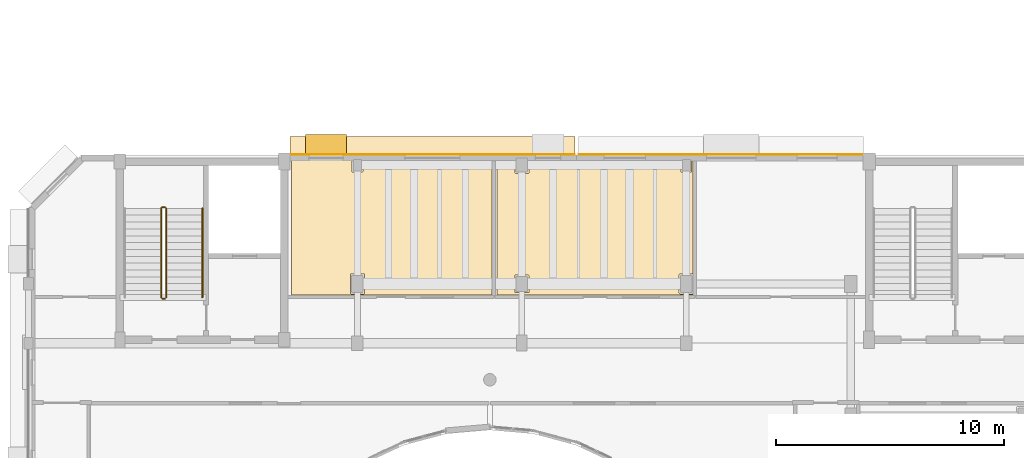
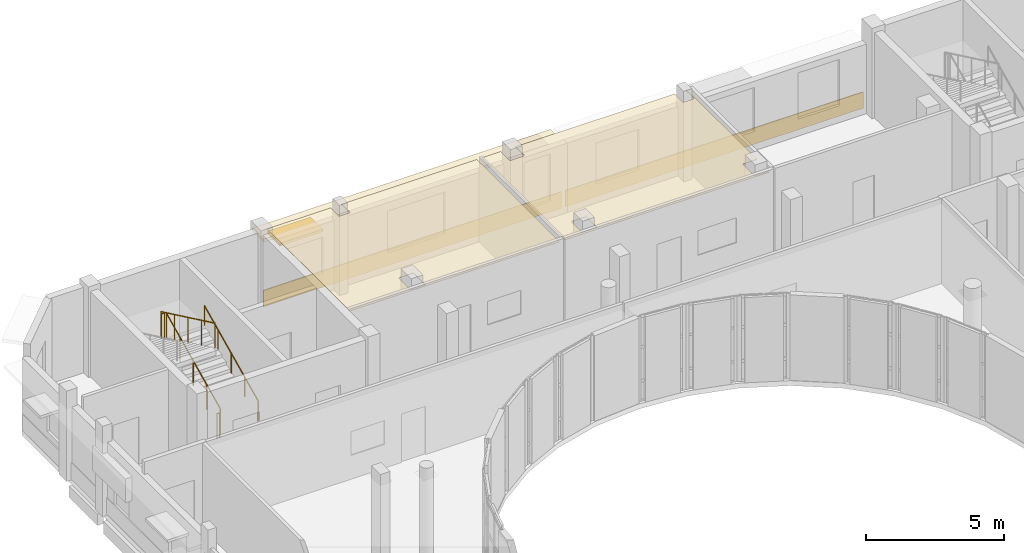
# One storey, part 99 of 105: 5 coverings, 5 railings, 1 shading device.
"""IFC4 building model written with IfcOpenShell, lengths in metres."""

from ifc_helpers import new_model, si_unit, direction, frame, origin, origin_2d, place, context, subcontext, project, spatial, polyline, rectangle, circle, outline, extrude, material, layer, layer_set, type_object, element, save


model = new_model("IFC4")

# Units and contexts
model_context = context("Model", 3, precision=1e-05, world=origin(), true_north=direction((0.0, 1.0)))
body_context = subcontext(model_context, "Body", "Model", "MODEL_VIEW")
ifc_project = project(units=[si_unit("LENGTHUNIT", "METRE"), si_unit("AREAUNIT", "SQUARE_METRE"), si_unit("VOLUMEUNIT", "CUBIC_METRE"), si_unit("PLANEANGLEUNIT", "RADIAN"), si_unit("MASSUNIT", "GRAM", prefix="KILO")], contexts=[model_context])

# Site, building, storey
site_placement = place(None, origin())
site = spatial("IfcSite", under=ifc_project, at=site_placement, CompositionType="ELEMENT")
building_placement = place(site_placement, origin())
building = spatial("IfcBuilding", under=site, at=building_placement, Name="Kelanivale Promenade Academy", CompositionType="ELEMENT")
storey_placement = place(building_placement, frame((0.0, 0.0, 4.199951171875)))
storey = spatial("IfcBuildingStorey", under=building, at=storey_placement, Name="L01", CompositionType="ELEMENT", Elevation=4.199951171875)

# Coverings
ifc_material_1 = material(Name="Warm ivory Art Deco stucco frieze band 40 mm", Category="masonry")
ifc_layer_1 = layer(ifc_material_1, 0.0400390625)
ifc_layer_set_1 = layer_set([ifc_layer_1], Name="Warm ivory Art Deco stucco frieze band 40 mm")
covering_type_1 = type_object("IfcCoveringType", Name="COV-CLD2 Warm ivory Art Deco stucco frieze ba", PredefinedType="CLADDING", material=ifc_layer_set_1)
covering_1_placement = place(storey_placement, frame((73.51708984375, 79.864990234375, 0.06005859375), z_axis=(0.0, 0.0, 1.0), x_axis=(-1.0, 0.0, 0.0)))
element("IfcCovering", 1, at=covering_1_placement, inside=storey, type_object=covering_type_1, Name="Art Deco ivory stucco sill frieze band", PredefinedType="CLADDING", context=body_context, shape_type="SweptSolid", body=[
    extrude(rectangle(XDim=12.47509765625, YDim=0.0400390625, at=origin_2d()), origin(), (0.0, 0.0, 1.0), 0.719970703125),
])
covering_2_placement = place(storey_placement, frame((60.883056640625, 80.25, 2.9150390625), z_axis=(0.0, 0.0, 1.0), x_axis=(-1.0, 0.0, 0.0)))
element("IfcCovering", 2, at=covering_2_placement, inside=storey, type_object=covering_type_1, Name="Art Deco projecting 820 mm streamline sunshade eyebrow ledge", PredefinedType="CLADDING", context=body_context, shape_type="SweptSolid", body=[
    extrude(rectangle(XDim=12.47509765625, YDim=0.820068359375, at=origin_2d()), origin(), (0.0, 0.0, 1.0), 0.139892578125),
])
covering_3_placement = place(storey_placement, frame((60.883056640625, 79.864990234375, 0.06005859375), z_axis=(0.0, 0.0, 1.0), x_axis=(-1.0, 0.0, 0.0)))
element("IfcCovering", 3, at=covering_3_placement, inside=storey, type_object=covering_type_1, Name="Art Deco ivory stucco sill frieze band", PredefinedType="CLADDING", context=body_context, shape_type="SweptSolid", body=[
    extrude(rectangle(XDim=12.47509765625, YDim=0.0400390625, at=origin_2d()), origin(), (0.0, 0.0, 1.0), 0.719970703125),
])
ifc_material_2 = material(Name="Acoustic mineral-fibre ceiling tile 25 mm", Category="gypsum")
ifc_layer_2 = layer(ifc_material_2, 0.02490234375)
ifc_layer_set_2 = layer_set([ifc_layer_2], Name="Acoustic mineral-fibre ceiling tile 25 mm")
covering_type_2 = type_object("IfcCoveringType", Name="COV-CLG1 Acoustic mineral-fibre ceiling tile ", PredefinedType="CEILING", material=ifc_layer_set_2)
covering_4_placement = place(storey_placement, frame((0.0, 0.0, 3.550048828125)))
element("IfcCovering", 4, at=covering_4_placement, inside=storey, type_object=covering_type_2, Name="Junior Classroom North 1 acoustic suspended ceiling", PredefinedType="CEILING", context=body_context, shape_type="SweptSolid", body=[
    extrude(outline(polyline([(54.7099609375, 73.7099609375), (63.489990234375, 73.7099609375), (63.489990234375, 79.699951171875), (57.821044921875, 79.699951171875), (57.822998046875, 79.697998046875), (57.825927734375, 79.695068359375), (57.827880859375, 79.69189453125), (57.830078125, 79.68896484375), (57.83203125, 79.68505859375), (57.8330078125, 79.681884765625), (57.833984375, 79.677978515625), (57.8349609375, 79.674072265625), (57.8349609375, 79.669921875), (57.8349609375, 79.1298828125), (57.8349609375, 79.1259765625), (57.833984375, 79.1220703125), (57.8330078125, 79.117919921875), (57.83203125, 79.114990234375), (57.830078125, 79.111083984375), (57.827880859375, 79.10791015625), (57.825927734375, 79.10498046875), (57.822998046875, 79.10205078125), (57.820068359375, 79.09912109375), (57.81689453125, 79.096923828125), (57.81396484375, 79.094970703125), (57.81005859375, 79.093017578125), (57.806884765625, 79.092041015625), (57.802978515625, 79.091064453125), (57.799072265625, 79.090087890625), (57.794921875, 79.090087890625), (57.405029296875, 79.090087890625), (57.40087890625, 79.090087890625), (57.39697265625, 79.091064453125), (57.39306640625, 79.092041015625), (57.389892578125, 79.093017578125), (57.385986328125, 79.094970703125), (57.383056640625, 79.096923828125), (57.3798828125, 79.09912109375), (57.376953125, 79.10205078125), (57.3740234375, 79.10498046875), (57.3720703125, 79.10791015625), (57.3701171875, 79.111083984375), (57.367919921875, 79.114990234375), (57.366943359375, 79.117919921875), (57.365966796875, 79.1220703125), (57.364990234375, 79.1259765625), (57.364990234375, 79.1298828125), (57.364990234375, 79.669921875), (57.364990234375, 79.674072265625), (57.365966796875, 79.677978515625), (57.366943359375, 79.681884765625), (57.367919921875, 79.68505859375), (57.3701171875, 79.68896484375), (57.3720703125, 79.69189453125), (57.3740234375, 79.695068359375), (57.376953125, 79.697998046875), (57.37890625, 79.699951171875), (54.7099609375, 79.699951171875), (54.7099609375, 79.155029296875), (54.7099609375, 73.7099609375)]), holes=[polyline([(57.909912109375, 73.804931640625), (57.909912109375, 73.801025390625), (57.908935546875, 73.797119140625), (57.907958984375, 73.79296875), (57.906982421875, 73.7900390625), (57.905029296875, 73.785888671875), (57.903076171875, 73.782958984375), (57.90087890625, 73.780029296875), (57.89794921875, 73.777099609375), (57.89501953125, 73.77392578125), (57.89208984375, 73.77197265625), (57.888916015625, 73.77001953125), (57.885009765625, 73.76806640625), (57.882080078125, 73.76708984375), (57.8779296875, 73.76611328125), (57.8740234375, 73.764892578125), (57.8701171875, 73.764892578125), (57.330078125, 73.764892578125), (57.325927734375, 73.764892578125), (57.322021484375, 73.76611328125), (57.318115234375, 73.76708984375), (57.31494140625, 73.76806640625), (57.31103515625, 73.77001953125), (57.30810546875, 73.77197265625), (57.304931640625, 73.77392578125), (57.302001953125, 73.777099609375), (57.299072265625, 73.780029296875), (57.297119140625, 73.782958984375), (57.294921875, 73.785888671875), (57.29296875, 73.7900390625), (57.2919921875, 73.79296875), (57.291015625, 73.797119140625), (57.2900390625, 73.801025390625), (57.2900390625, 73.804931640625), (57.2900390625, 74.594970703125), (57.2900390625, 74.59912109375), (57.291015625, 74.60302734375), (57.2919921875, 74.60693359375), (57.29296875, 74.610107421875), (57.294921875, 74.614013671875), (57.297119140625, 74.616943359375), (57.299072265625, 74.6201171875), (57.302001953125, 74.623046875), (57.304931640625, 74.6259765625), (57.30810546875, 74.6279296875), (57.31103515625, 74.6298828125), (57.31494140625, 74.632080078125), (57.318115234375, 74.633056640625), (57.322021484375, 74.634033203125), (57.325927734375, 74.635009765625), (57.330078125, 74.635009765625), (57.8701171875, 74.635009765625), (57.8740234375, 74.635009765625), (57.8779296875, 74.634033203125), (57.882080078125, 74.633056640625), (57.885009765625, 74.632080078125), (57.888916015625, 74.6298828125), (57.89208984375, 74.6279296875), (57.89501953125, 74.6259765625), (57.89794921875, 74.623046875), (57.90087890625, 74.6201171875), (57.903076171875, 74.616943359375), (57.905029296875, 74.614013671875), (57.906982421875, 74.610107421875), (57.907958984375, 74.60693359375), (57.908935546875, 74.60302734375), (57.909912109375, 74.59912109375), (57.909912109375, 74.594970703125), (57.909912109375, 73.804931640625)])]), origin(), (0.0, 0.0, 1.0), 0.02490234375),
])
covering_5_placement = place(storey_placement, frame((0.0, 0.0, 3.550048828125)))
element("IfcCovering", 5, at=covering_5_placement, inside=storey, type_object=covering_type_2, Name="Language Studio North acoustic suspended ceiling", PredefinedType="CEILING", context=body_context, shape_type="SweptSolid", body=[
    extrude(outline(polyline([(63.7099609375, 79.699951171875), (63.7099609375, 73.7099609375), (72.2900390625, 73.7099609375), (72.2900390625, 73.77001953125), (72.2890625, 73.77001953125), (72.284912109375, 73.76806640625), (72.281982421875, 73.76708984375), (72.278076171875, 73.76611328125), (72.27392578125, 73.764892578125), (72.27001953125, 73.764892578125), (71.72998046875, 73.764892578125), (71.72607421875, 73.764892578125), (71.721923828125, 73.76611328125), (71.718017578125, 73.76708984375), (71.715087890625, 73.76806640625), (71.7109375, 73.77001953125), (71.7080078125, 73.77197265625), (71.705078125, 73.77392578125), (71.701904296875, 73.777099609375), (71.698974609375, 73.780029296875), (71.697021484375, 73.782958984375), (71.695068359375, 73.785888671875), (71.693115234375, 73.7900390625), (71.69189453125, 73.79296875), (71.69091796875, 73.797119140625), (71.68994140625, 73.801025390625), (71.68994140625, 73.804931640625), (71.68994140625, 74.594970703125), (71.68994140625, 74.59912109375), (71.69091796875, 74.60302734375), (71.69189453125, 74.60693359375), (71.693115234375, 74.610107421875), (71.695068359375, 74.614013671875), (71.697021484375, 74.616943359375), (71.698974609375, 74.6201171875), (71.701904296875, 74.623046875), (71.705078125, 74.6259765625), (71.7080078125, 74.6279296875), (71.7109375, 74.6298828125), (71.715087890625, 74.632080078125), (71.718017578125, 74.633056640625), (71.721923828125, 74.634033203125), (71.72607421875, 74.635009765625), (71.72998046875, 74.635009765625), (72.27001953125, 74.635009765625), (72.27392578125, 74.635009765625), (72.278076171875, 74.634033203125), (72.281982421875, 74.633056640625), (72.284912109375, 74.632080078125), (72.2890625, 74.6298828125), (72.2900390625, 74.6298828125), (72.2900390625, 79.699951171875), (72.220947265625, 79.699951171875), (72.222900390625, 79.697998046875), (72.22607421875, 79.695068359375), (72.22802734375, 79.69189453125), (72.22998046875, 79.68896484375), (72.23193359375, 79.68505859375), (72.23291015625, 79.681884765625), (72.23388671875, 79.677978515625), (72.235107421875, 79.674072265625), (72.235107421875, 79.669921875), (72.235107421875, 79.1298828125), (72.235107421875, 79.1259765625), (72.23388671875, 79.1220703125), (72.23291015625, 79.117919921875), (72.23193359375, 79.114990234375), (72.22998046875, 79.111083984375), (72.22802734375, 79.10791015625), (72.22607421875, 79.10498046875), (72.222900390625, 79.10205078125), (72.219970703125, 79.09912109375), (72.217041015625, 79.096923828125), (72.214111328125, 79.094970703125), (72.2099609375, 79.093017578125), (72.20703125, 79.092041015625), (72.202880859375, 79.091064453125), (72.198974609375, 79.090087890625), (72.195068359375, 79.090087890625), (71.804931640625, 79.090087890625), (71.801025390625, 79.090087890625), (71.797119140625, 79.091064453125), (71.79296875, 79.092041015625), (71.7900390625, 79.093017578125), (71.785888671875, 79.094970703125), (71.782958984375, 79.096923828125), (71.780029296875, 79.09912109375), (71.777099609375, 79.10205078125), (71.77392578125, 79.10498046875), (71.77197265625, 79.10791015625), (71.77001953125, 79.111083984375), (71.76806640625, 79.114990234375), (71.76708984375, 79.117919921875), (71.76611328125, 79.1220703125), (71.764892578125, 79.1259765625), (71.764892578125, 79.1298828125), (71.764892578125, 79.669921875), (71.764892578125, 79.674072265625), (71.76611328125, 79.677978515625), (71.76708984375, 79.681884765625), (71.76806640625, 79.68505859375), (71.77001953125, 79.68896484375), (71.77197265625, 79.69189453125), (71.77392578125, 79.695068359375), (71.777099609375, 79.697998046875), (71.779052734375, 79.699951171875), (65.110107421875, 79.699951171875), (65.110107421875, 79.080078125), (65.110107421875, 79.075927734375), (65.10888671875, 79.072021484375), (65.10791015625, 79.068115234375), (65.10693359375, 79.06494140625), (65.10498046875, 79.06103515625), (65.10302734375, 79.05810546875), (65.10107421875, 79.054931640625), (65.097900390625, 79.052001953125), (65.094970703125, 79.049072265625), (65.092041015625, 79.047119140625), (65.089111328125, 79.044921875), (65.0849609375, 79.04296875), (65.08203125, 79.0419921875), (65.077880859375, 79.041015625), (65.073974609375, 79.0400390625), (65.070068359375, 79.0400390625), (64.530029296875, 79.0400390625), (64.52587890625, 79.0400390625), (64.52197265625, 79.041015625), (64.51806640625, 79.0419921875), (64.514892578125, 79.04296875), (64.510986328125, 79.044921875), (64.508056640625, 79.047119140625), (64.5048828125, 79.049072265625), (64.501953125, 79.052001953125), (64.4990234375, 79.054931640625), (64.4970703125, 79.05810546875), (64.4951171875, 79.06103515625), (64.492919921875, 79.06494140625), (64.491943359375, 79.068115234375), (64.490966796875, 79.072021484375), (64.489990234375, 79.075927734375), (64.489990234375, 79.080078125), (64.489990234375, 79.699951171875), (63.7099609375, 79.699951171875)]), holes=[polyline([(65.070068359375, 74.5849609375), (65.073974609375, 74.5849609375), (65.077880859375, 74.583984375), (65.08203125, 74.5830078125), (65.0849609375, 74.58203125), (65.089111328125, 74.580078125), (65.092041015625, 74.577880859375), (65.094970703125, 74.575927734375), (65.097900390625, 74.572998046875), (65.10107421875, 74.570068359375), (65.10302734375, 74.56689453125), (65.10498046875, 74.56396484375), (65.10693359375, 74.56005859375), (65.10791015625, 74.556884765625), (65.10888671875, 74.552978515625), (65.110107421875, 74.549072265625), (65.110107421875, 74.544921875), (65.110107421875, 73.85498046875), (65.110107421875, 73.85107421875), (65.10888671875, 73.846923828125), (65.10791015625, 73.843017578125), (65.10693359375, 73.840087890625), (65.10498046875, 73.8359375), (65.10302734375, 73.8330078125), (65.10107421875, 73.830078125), (65.097900390625, 73.826904296875), (65.094970703125, 73.823974609375), (65.092041015625, 73.822021484375), (65.089111328125, 73.820068359375), (65.0849609375, 73.818115234375), (65.08203125, 73.81689453125), (65.077880859375, 73.81591796875), (65.073974609375, 73.81494140625), (65.070068359375, 73.81494140625), (64.530029296875, 73.81494140625), (64.52587890625, 73.81494140625), (64.52197265625, 73.81591796875), (64.51806640625, 73.81689453125), (64.514892578125, 73.818115234375), (64.510986328125, 73.820068359375), (64.508056640625, 73.822021484375), (64.5048828125, 73.823974609375), (64.501953125, 73.826904296875), (64.4990234375, 73.830078125), (64.4970703125, 73.8330078125), (64.4951171875, 73.8359375), (64.492919921875, 73.840087890625), (64.491943359375, 73.843017578125), (64.490966796875, 73.846923828125), (64.489990234375, 73.85107421875), (64.489990234375, 73.85498046875), (64.489990234375, 74.544921875), (64.489990234375, 74.549072265625), (64.490966796875, 74.552978515625), (64.491943359375, 74.556884765625), (64.492919921875, 74.56005859375), (64.4951171875, 74.56396484375), (64.4970703125, 74.56689453125), (64.4990234375, 74.570068359375), (64.501953125, 74.572998046875), (64.5048828125, 74.575927734375), (64.508056640625, 74.577880859375), (64.510986328125, 74.580078125), (64.514892578125, 74.58203125), (64.51806640625, 74.5830078125), (64.52197265625, 74.583984375), (64.52587890625, 74.5849609375), (64.530029296875, 74.5849609375), (65.070068359375, 74.5849609375)])]), origin(), (0.0, 0.0, 1.0), 0.02490234375),
])

# Railings
ifc_material_3 = material(Name="Brushed stainless steel grade 316", Category="steel")
railing_type_1 = type_object("IfcRailingType", Name="GR-01 Stair Guard 1100mm", PredefinedType="BALUSTRADE", material=ifc_material_3)
railing_1_placement = place(storey_placement, frame((49.22509765625, 73.60498046875, 0.142822265625)))
element("IfcRailing", 6, at=railing_1_placement, inside=storey, type_object=railing_type_1, Name="L01 ST-04 stair guard 1", PredefinedType="BALUSTRADE", context=body_context, shape_type="SweptSolid", body=[
    extrude(circle(Radius=0.02392578125, at=origin_2d()), frame((0.0, 0.0, 1.09619140625), z_axis=(0.0, 0.902853205547, 0.429948937937), x_axis=(-1.0, 0.0, 0.0)), (0.0, 0.0, 1.0), 4.319580078125),
    extrude(circle(Radius=0.02099609375, at=origin_2d()), origin(), (0.0, 0.0, 1.0), 1.072021484375),
    extrude(circle(Radius=0.02099609375, at=origin_2d()), frame((0.0, 0.97509765625, 0.46435546875)), (0.0, 0.0, 1.0), 1.072021484375),
    extrude(circle(Radius=0.02099609375, at=origin_2d()), frame((0.0, 1.949951171875, 0.9287109375)), (0.0, 0.0, 1.0), 1.072021484375),
    extrude(circle(Radius=0.02099609375, at=origin_2d()), frame((0.0, 2.9248046875, 1.392822265625)), (0.0, 0.0, 1.0), 1.072021484375),
    extrude(circle(Radius=0.02099609375, at=origin_2d()), frame((0.0, 3.89990234375, 1.857177734375)), (0.0, 0.0, 1.0), 1.072021484375),
])
railing_2_placement = place(storey_placement, frame((49.175048828125, 77.554931640625, 2.0)))
element("IfcRailing", 7, at=railing_2_placement, inside=storey, type_object=railing_type_1, Name="L01 ST-04 stair guard 2", PredefinedType="BALUSTRADE", context=body_context, shape_type="SweptSolid", body=[
    extrude(circle(Radius=0.02392578125, at=origin_2d()), frame((0.0, 0.0, 1.09619140625), z_axis=(-1.0, 0.0, 0.0), x_axis=(0.0, -1.0, 0.0)), (0.0, 0.0, 1.0), 0.1201171875),
    extrude(circle(Radius=0.02099609375, at=origin_2d()), origin(), (0.0, 0.0, 1.0), 1.072021484375),
    extrude(circle(Radius=0.02099609375, at=origin_2d()), frame((-0.1201171875, 0.0, 0.0)), (0.0, 0.0, 1.0), 1.072021484375),
])
railing_3_placement = place(storey_placement, frame((49.0048828125, 77.5048828125, 2.142822265625)))
element("IfcRailing", 8, at=railing_3_placement, inside=storey, type_object=railing_type_1, Name="L01 ST-04 stair guard 3", PredefinedType="BALUSTRADE", context=body_context, shape_type="SweptSolid", body=[
    extrude(circle(Radius=0.02392578125, at=origin_2d()), frame((0.0, 0.0, 1.09619140625), z_axis=(0.0, -0.902853205547, 0.429948937937), x_axis=(1.0, 0.0, 0.0)), (0.0, 0.0, 1.0), 4.319580078125),
    extrude(circle(Radius=0.02099609375, at=origin_2d()), origin(), (0.0, 0.0, 1.0), 1.072021484375),
    extrude(circle(Radius=0.02099609375, at=origin_2d()), frame((0.0, -0.97509765625, 0.46435546875)), (0.0, 0.0, 1.0), 1.072021484375),
    extrude(circle(Radius=0.02099609375, at=origin_2d()), frame((0.0, -1.949951171875, 0.9287109375)), (0.0, 0.0, 1.0), 1.072021484375),
    extrude(circle(Radius=0.02099609375, at=origin_2d()), frame((0.0, -2.9248046875, 1.392822265625)), (0.0, 0.0, 1.0), 1.072021484375),
    extrude(circle(Radius=0.02099609375, at=origin_2d()), frame((0.0, -3.89990234375, 1.857177734375)), (0.0, 0.0, 1.0), 1.072021484375),
])
railing_4_placement = place(storey_placement, frame((49.175048828125, 73.554931640625, 0.0)))
element("IfcRailing", 9, at=railing_4_placement, inside=storey, type_object=railing_type_1, Name="L01 ST-04 stair guard 4", PredefinedType="BALUSTRADE", context=body_context, shape_type="SweptSolid", body=[
    extrude(circle(Radius=0.02392578125, at=origin_2d()), frame((0.0, 0.0, 1.09619140625), z_axis=(-1.0, 0.0, 0.0), x_axis=(0.0, -1.0, 0.0)), (0.0, 0.0, 1.0), 0.1201171875),
    extrude(circle(Radius=0.02099609375, at=origin_2d()), origin(), (0.0, 0.0, 1.0), 1.072021484375),
    extrude(circle(Radius=0.02099609375, at=origin_2d()), frame((-0.1201171875, 0.0, 0.0)), (0.0, 0.0, 1.0), 1.072021484375),
])
railing_type_2 = type_object("IfcRailingType", Name="HR-01 Pitch Handrail 900mm", PredefinedType="HANDRAIL", material=ifc_material_3)
railing_5_placement = place(storey_placement, frame((50.81494140625, 73.60498046875, 0.142822265625)))
element("IfcRailing", 10, at=railing_5_placement, inside=storey, type_object=railing_type_2, Name="L01 ST-04 stair handrail 1", PredefinedType="HANDRAIL", context=body_context, shape_type="SweptSolid", body=[
    extrude(circle(Radius=0.02392578125, at=origin_2d()), frame((0.0, 0.0, 0.8759765625), z_axis=(0.0, 0.902853205547, 0.429948937937), x_axis=(-1.0, 0.0, 0.0)), (0.0, 0.0, 1.0), 4.319580078125),
    extrude(circle(Radius=0.02099609375, at=origin_2d()), origin(), (0.0, 0.0, 1.0), 0.851806640625),
    extrude(circle(Radius=0.02099609375, at=origin_2d()), frame((0.0, 0.97509765625, 0.46435546875)), (0.0, 0.0, 1.0), 0.851806640625),
    extrude(circle(Radius=0.02099609375, at=origin_2d()), frame((0.0, 1.949951171875, 0.9287109375)), (0.0, 0.0, 1.0), 0.851806640625),
    extrude(circle(Radius=0.02099609375, at=origin_2d()), frame((0.0, 2.9248046875, 1.392822265625)), (0.0, 0.0, 1.0), 0.851806640625),
    extrude(circle(Radius=0.02099609375, at=origin_2d()), frame((0.0, 3.89990234375, 1.857177734375)), (0.0, 0.0, 1.0), 0.851806640625),
])

# Shading device
ifc_material_4 = material(Name="Precast concrete C40/50", Category="concrete")
ifc_layer_3 = layer(ifc_material_4, 0.1201171875)
ifc_layer_set_3 = layer_set([ifc_layer_3], Name="Precast concrete C40/50")
shading_device_type = type_object("IfcShadingDeviceType", Name="SHD-01 Art Deco Sunshade Eyebrow 900mm", PredefinedType="USERDEFINED", material=ifc_layer_set_3)
shading_device_placement = place(storey_placement, frame((56.220947265625, 80.2900390625, 2.510009765625), z_axis=(0.0, 0.0, 1.0), x_axis=(-1.0, 0.0, 0.0)))
element("IfcShadingDevice", 11, at=shading_device_placement, inside=storey, type_object=shading_device_type, Name="Art Deco 900 mm precast chajja window sunshade", ObjectType="SUNSHADE", PredefinedType="USERDEFINED", context=body_context, shape_type="SweptSolid", body=[
    extrude(rectangle(XDim=1.800048828125, YDim=0.89990234375, at=origin_2d()), origin(), (0.0, 0.0, 1.0), 0.1201171875),
])

save(model, "model.ifc")
